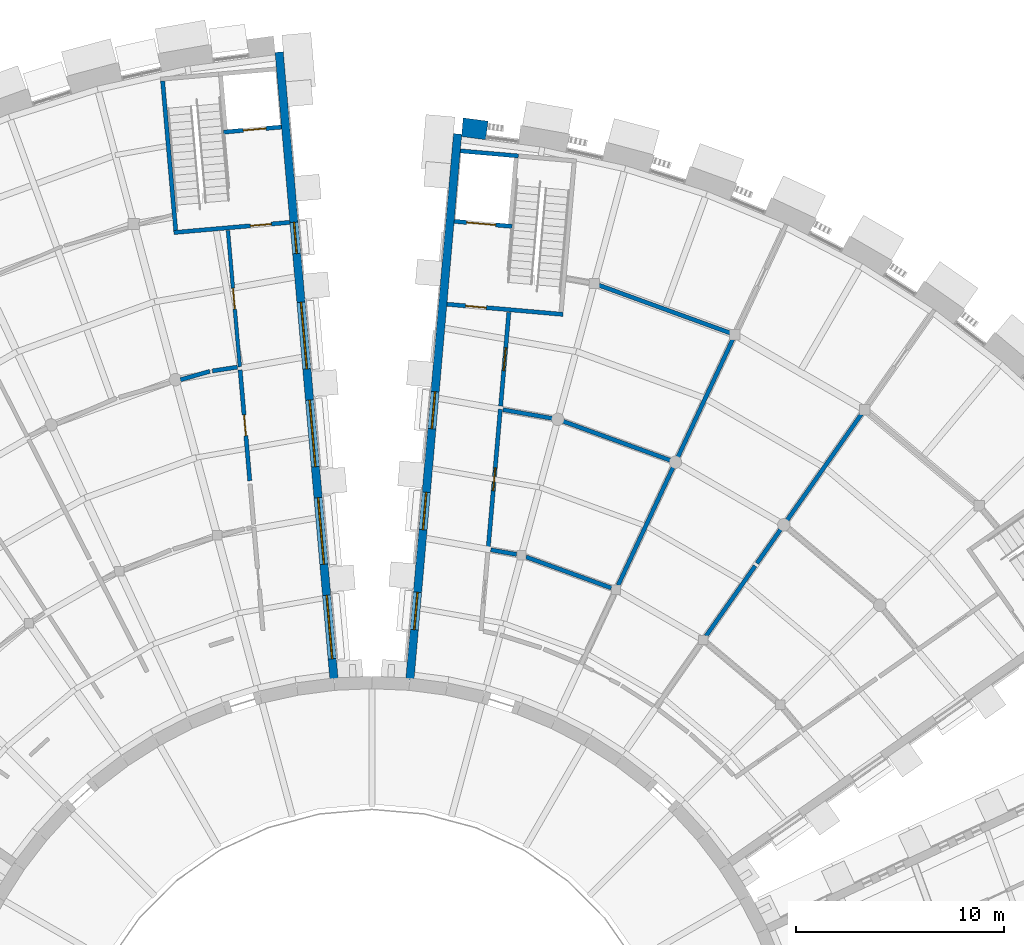
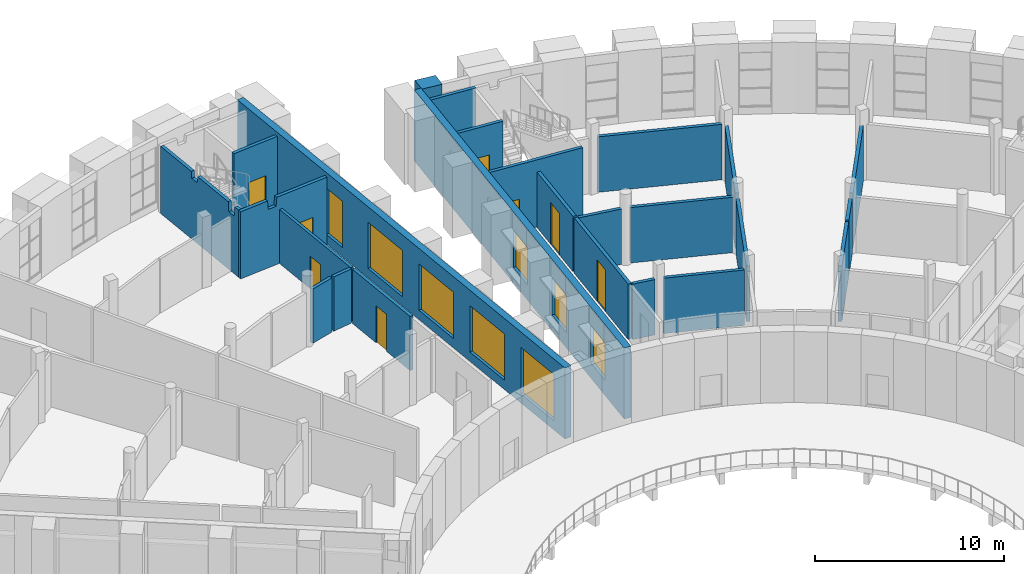
# One storey, part 32 of 50: 25 walls, 8 doors, 8 windows, 16 openings.
"""IFC4 building model written with IfcOpenShell, lengths in metres."""

from ifc_helpers import new_model, si_unit, direction, frame, frame_2d, origin, place, context, subcontext, project, spatial, polyline, rectangle, outline, extrude, material, layer, layer_set, type_object, element, fill, save


model = new_model("IFC4")

# Units and contexts
model_context = context("Model", 3, precision=1e-05, world=origin(), true_north=direction((0.0, 1.0)))
body_context = subcontext(model_context, "Body", "Model", "MODEL_VIEW")
ifc_project = project(units=[si_unit("LENGTHUNIT", "METRE"), si_unit("AREAUNIT", "SQUARE_METRE"), si_unit("VOLUMEUNIT", "CUBIC_METRE"), si_unit("PLANEANGLEUNIT", "RADIAN"), si_unit("MASSUNIT", "GRAM", prefix="KILO")], contexts=[model_context])

# Site, building, storey
site_placement = place(None, origin())
site = spatial("IfcSite", under=ifc_project, at=site_placement, CompositionType="ELEMENT")
building_placement = place(site_placement, origin())
building = spatial("IfcBuilding", under=site, at=building_placement, Name="Volute Hill Aquarium", CompositionType="ELEMENT")
storey_placement = place(building_placement, frame((0.0, 0.0, 9.199951171875)))
storey = spatial("IfcBuildingStorey", under=building, at=storey_placement, Name="L03", CompositionType="ELEMENT", Elevation=9.199951171875)

# Wall, opening, door
ifc_material_1 = material(Name="Concrete C30/37", Category="concrete")
ifc_layer_1 = layer(ifc_material_1, 0.199951171875)
ifc_layer_set_1 = layer_set([ifc_layer_1], Name="Core wall 200 REI 60")
wall_type_1 = type_object("IfcWallType", Name="Core wall 200 REI 60", PredefinedType="SHEAR", material=ifc_layer_set_1)
wall_1_placement = place(storey_placement, frame((3.602783203125, 38.884033203125, 0.0), z_axis=(0.0, 0.0, 1.0), x_axis=(0.996195137027, -0.087150725554, 0.0)))
wall_1 = element("IfcWall", 1, at=wall_1_placement, inside=storey, type_object=wall_type_1, Name="wc/S5-B/L03/in", PredefinedType="SHEAR", context=body_context, shape_type="SweptSolid", body=[
    extrude(rectangle(XDim=5.599853515625, YDim=0.199951171875, at=frame_2d((2.7998046875, 0.0))), origin(), (0.0, 0.0, 1.0), 4.35009765625),
])
opening_1_placement = place(wall_1_placement, frame((0.89990234375, 0.0, 0.0)))
opening_1 = element("IfcOpeningElement", 2, at=opening_1_placement, cuts=wall_1, Name="Opening D5.03.BS", PredefinedType="OPENING", context=body_context, shape_type="SweptSolid", body=[
    extrude(rectangle(XDim=1.0, YDim=2.10009765625, at=frame_2d((0.5, 1.050048828125))), frame((0.0, 0.10986328125, 0.0), z_axis=(0.0, -1.0, 0.0), x_axis=(1.0, 0.0, 0.0)), (0.0, 0.0, 1.0), 0.219970703125),
])
ifc_material_2 = material(Name="Timber, fire-rated", Category="wood")
door_type_1 = type_object("IfcDoorType", Name="Door 1000 x 2100 single EI1 30", OperationType="SINGLE_SWING_LEFT", PredefinedType="DOOR", material=ifc_material_2)
door_1_placement = place(opening_1_placement, origin())
door_1 = element("IfcDoor", 3, at=door_1_placement, inside=storey, type_object=door_type_1, Name="d/S5-B/L03/st", OperationType="SINGLE_SWING_RIGHT", OverallHeight=2.10009765625, OverallWidth=1.0, PredefinedType="DOOR", context=body_context, shape_type="SweptSolid", body=[
    extrude(rectangle(XDim=1.0, YDim=2.10009765625, at=frame_2d((0.5, 1.050048828125))), frame((0.0, 0.02490234375, 0.0), z_axis=(0.0, -1.0, 0.0), x_axis=(1.0, 0.0, 0.0)), (0.0, 0.0, 1.0), 0.050048828125),
])
fill(opening_1, door_1)

wall_2_placement = place(storey_placement, frame((-3.947021484375, 42.81884765625, 0.0), z_axis=(0.0, 0.0, 1.0), x_axis=(-0.996195137027, -0.087150725554, 0.0)))
wall_2 = element("IfcWall", 4, at=wall_2_placement, inside=storey, type_object=wall_type_1, Name="wc/S6-A/L03/in", PredefinedType="SHEAR", context=body_context, shape_type="SweptSolid", body=[
    extrude(outline(polyline([(0.0, 0.0), (5.599853515625, 0.0), (5.60009765625, 4.35009765625), (3.853271484375, 4.35009765625), (3.80322265625, 3.780029296875), (3.30322265625, 3.780029296875), (3.253173828125, 4.35009765625), (0.0, 4.35009765625), (0.0, 0.0)])), frame((0.0, 0.10009765625, 0.0), z_axis=(0.0, -1.0, 0.0), x_axis=(1.0, 0.0, 0.0)), (0.0, 0.0, 1.0), 0.199951171875),
])
opening_2_placement = place(wall_2_placement, frame((0.89990234375, 0.0, 0.0)))
opening_2 = element("IfcOpeningElement", 5, at=opening_2_placement, cuts=wall_2, Name="Opening D6.03.AS", PredefinedType="OPENING", context=body_context, shape_type="SweptSolid", body=[
    extrude(rectangle(XDim=1.0, YDim=2.10009765625, at=frame_2d((0.5, 1.050048828125))), frame((0.0, 0.10986328125, 0.0), z_axis=(0.0, -1.0, 0.0), x_axis=(1.0, 0.0, 0.0)), (0.0, 0.0, 1.0), 0.219970703125),
])
door_2_placement = place(opening_2_placement, origin())
door_2 = element("IfcDoor", 6, at=door_2_placement, inside=storey, type_object=door_type_1, Name="d/S6-A/L03/st", OperationType="SINGLE_SWING_RIGHT", OverallHeight=2.10009765625, OverallWidth=1.0, PredefinedType="DOOR", context=body_context, shape_type="SweptSolid", body=[
    extrude(rectangle(XDim=1.0, YDim=2.10009765625, at=frame_2d((0.5, 1.050048828125))), frame((0.0, 0.02490234375, 0.0), z_axis=(0.0, -1.0, 0.0), x_axis=(1.0, 0.0, 0.0)), (0.0, 0.0, 1.0), 0.050048828125),
])
fill(opening_2, door_2)

# Wall
wall_3_placement = place(storey_placement, frame((-9.434814453125, 42.439208984375, 0.0), z_axis=(0.0, 0.0, 1.0), x_axis=(-0.087144656612, 0.996195667941, 0.0)))
element("IfcWall", 7, at=wall_3_placement, inside=storey, type_object=wall_type_1, Name="wc/S6-A/L03/side", PredefinedType="SHEAR", context=body_context, shape_type="SweptSolid", body=[
    extrude(outline(polyline([(0.0, 0.0), (7.199951171875, 0.0), (7.199951171875, 4.35009765625), (4.36767578125, 4.35009765625), (4.317626953125, 3.929931640625), (3.817626953125, 3.929931640625), (3.767578125, 4.35009765625), (0.942626953125, 4.35009765625), (0.892578125, 3.72998046875), (0.392578125, 3.72998046875), (0.342529296875, 4.35009765625), (0.0, 4.35009765625), (0.0, 0.0)])), frame((0.0, 0.10009765625, 0.0), z_axis=(0.0, -1.0, 0.0), x_axis=(1.0, 0.0, 0.0)), (0.0, 0.0, 1.0), 0.199951171875),
])

# Wall, opening, door
ifc_material_3 = material(Name="Gypsum board on steel studs", Category="steel")
ifc_layer_2 = layer(ifc_material_3, 0.175048828125)
ifc_layer_set_2 = layer_set([ifc_layer_2], Name="Corridor partition 175 EI 60")
wall_type_2 = type_object("IfcWallType", Name="Corridor partition 175 EI 60", PredefinedType="PARTITIONING", material=ifc_layer_set_2)
wall_4_placement = place(storey_placement, frame((-6.35107421875, 35.8779296875, 0.0), z_axis=(0.0, 0.0, 1.0), x_axis=(-0.087183992952, 0.996192226115, 0.0)))
wall_4 = element("IfcWall", 8, at=wall_4_placement, inside=storey, type_object=wall_type_2, Name="pw/S6/L03/008", PredefinedType="PARTITIONING", context=body_context, shape_type="SweptSolid", body=[
    extrude(rectangle(XDim=6.5751953125, YDim=0.175048828125, at=frame_2d((3.28759765625, 0.0))), origin(), (0.0, 0.0, 1.0), 3.510009765625),
])
opening_3_placement = place(wall_4_placement, frame((2.78759765625, 0.0, 0.0)))
opening_3 = element("IfcOpeningElement", 9, at=opening_3_placement, cuts=wall_4, Name="Opening D6.03.03", PredefinedType="OPENING", context=body_context, shape_type="SweptSolid", body=[
    extrude(rectangle(XDim=1.0, YDim=2.10009765625, at=frame_2d((0.5, 1.050048828125))), frame((0.0, 0.097412109375, 0.0), z_axis=(0.0, -1.0, 0.0), x_axis=(1.0, 0.0, 0.0)), (0.0, 0.0, 1.0), 0.195068359375),
])
door_3_placement = place(opening_3_placement, origin())
door_3 = element("IfcDoor", 10, at=door_3_placement, inside=storey, type_object=door_type_1, Name="d/S6/L03/03", OperationType="SINGLE_SWING_LEFT", OverallHeight=2.10009765625, OverallWidth=1.0, PredefinedType="DOOR", context=body_context, shape_type="SweptSolid", body=[
    extrude(rectangle(XDim=1.0, YDim=2.10009765625, at=frame_2d((0.5, 1.050048828125))), frame((0.0, 0.02490234375, 0.0), z_axis=(0.0, -1.0, 0.0), x_axis=(1.0, 0.0, 0.0)), (0.0, 0.0, 1.0), 0.050048828125),
])
fill(opening_3, door_3)

# Wall, openings, windows
ifc_material_4 = material(Name="Concrete C35/45", Category="concrete")
ifc_layer_3 = layer(ifc_material_4, 0.39990234375)
ifc_layer_set_3 = layer_set([ifc_layer_3], Name="End wall 400 C35/45")
wall_type_3 = type_object("IfcWallType", Name="End wall 400 C35/45", PredefinedType="SHEAR", material=ifc_layer_set_3)
wall_5_placement = place(storey_placement, frame((1.821533203125, 20.820556640625, 0.0), z_axis=(0.0, 0.0, 1.0), x_axis=(0.087158559941, 0.996194451615, 0.0)))
wall_5 = element("IfcWall", 11, at=wall_5_placement, inside=storey, type_object=wall_type_3, Name="sw/S5/L03/endB", PredefinedType="SHEAR", context=body_context, shape_type="SweptSolid", body=[
    extrude(rectangle(XDim=26.35009765625, YDim=0.39990234375, at=frame_2d((13.175048828125, 0.0))), origin(), (0.0, 0.0, 1.0), 4.60009765625),
])
opening_4_placement = place(wall_5_placement, frame((2.43115234375, 0.0, 1.0)))
opening_4 = element("IfcOpeningElement", 12, at=opening_4_placement, cuts=wall_5, Name="Opening W13", PredefinedType="OPENING", context=body_context, shape_type="SweptSolid", body=[
    extrude(rectangle(XDim=1.800048828125, YDim=2.39990234375, at=frame_2d((0.89990234375, 1.199951171875))), frame((0.0, 0.2099609375, 0.0), z_axis=(0.0, -1.0, 0.0), x_axis=(1.0, 0.0, 0.0)), (0.0, 0.0, 1.0), 0.419921875),
])
opening_5_placement = place(wall_5_placement, frame((7.252197265625, 0.0, 1.0)))
opening_5 = element("IfcOpeningElement", 13, at=opening_5_placement, cuts=wall_5, Name="Opening W13", PredefinedType="OPENING", context=body_context, shape_type="SweptSolid", body=[
    extrude(rectangle(XDim=1.800048828125, YDim=2.39990234375, at=frame_2d((0.89990234375, 1.199951171875))), frame((0.0, 0.2099609375, 0.0), z_axis=(0.0, -1.0, 0.0), x_axis=(1.0, 0.0, 0.0)), (0.0, 0.0, 1.0), 0.419921875),
])
opening_6_placement = place(wall_5_placement, frame((12.1181640625, 0.0, 1.0)))
opening_6 = element("IfcOpeningElement", 14, at=opening_6_placement, cuts=wall_5, Name="Opening W13", PredefinedType="OPENING", context=body_context, shape_type="SweptSolid", body=[
    extrude(rectangle(XDim=1.800048828125, YDim=2.39990234375, at=frame_2d((0.89990234375, 1.199951171875))), frame((0.0, 0.2099609375, 0.0), z_axis=(0.0, -1.0, 0.0), x_axis=(1.0, 0.0, 0.0)), (0.0, 0.0, 1.0), 0.419921875),
])
ifc_material_5 = material(Name="Aluminium and glass", Category="aluminium")
window_type_1 = type_object("IfcWindowType", Name="End wall window 1800x2400", PartitioningType="SINGLE_PANEL", PredefinedType="WINDOW", material=ifc_material_5)
window_1_placement = place(opening_4_placement, origin())
window_1 = element("IfcWindow", 15, at=window_1_placement, inside=storey, type_object=window_type_1, Name="End wall window S5B L03 1.1", OverallHeight=2.39990234375, OverallWidth=1.800048828125, PartitioningType="SINGLE_PANEL", PredefinedType="WINDOW", context=body_context, shape_type="SweptSolid", body=[
    extrude(rectangle(XDim=1.800048828125, YDim=2.39990234375, at=frame_2d((0.89990234375, 1.199951171875))), frame((0.0, 0.030029296875, 0.0), z_axis=(0.0, -1.0, 0.0), x_axis=(1.0, 0.0, 0.0)), (0.0, 0.0, 1.0), 0.06005859375),
])
fill(opening_4, window_1)
window_2_placement = place(opening_5_placement, origin())
window_2 = element("IfcWindow", 16, at=window_2_placement, inside=storey, type_object=window_type_1, Name="End wall window S5B L03 2.1", OverallHeight=2.39990234375, OverallWidth=1.800048828125, PartitioningType="SINGLE_PANEL", PredefinedType="WINDOW", context=body_context, shape_type="SweptSolid", body=[
    extrude(rectangle(XDim=1.800048828125, YDim=2.39990234375, at=frame_2d((0.89990234375, 1.199951171875))), frame((0.0, 0.030029296875, 0.0), z_axis=(0.0, -1.0, 0.0), x_axis=(1.0, 0.0, 0.0)), (0.0, 0.0, 1.0), 0.06005859375),
])
fill(opening_5, window_2)
window_3_placement = place(opening_6_placement, origin())
window_3 = element("IfcWindow", 17, at=window_3_placement, inside=storey, type_object=window_type_1, Name="End wall window S5B L03 3.1", OverallHeight=2.39990234375, OverallWidth=1.800048828125, PartitioningType="SINGLE_PANEL", PredefinedType="WINDOW", context=body_context, shape_type="SweptSolid", body=[
    extrude(rectangle(XDim=1.800048828125, YDim=2.39990234375, at=frame_2d((0.89990234375, 1.199951171875))), frame((0.0, 0.030029296875, 0.0), z_axis=(0.0, -1.0, 0.0), x_axis=(1.0, 0.0, 0.0)), (0.0, 0.0, 1.0), 0.06005859375),
])
fill(opening_6, window_3)

wall_6_placement = place(storey_placement, frame((-1.821533203125, 20.820556640625, 0.0), z_axis=(0.0, 0.0, 1.0), x_axis=(-0.08715775458, 0.996194522077, 0.0)))
wall_6 = element("IfcWall", 18, at=wall_6_placement, inside=storey, type_object=wall_type_3, Name="sw/S6/L03/endA", PredefinedType="SHEAR", context=body_context, shape_type="SweptSolid", body=[
    extrude(rectangle(XDim=30.2998046875, YDim=0.39990234375, at=frame_2d((15.14990234375, 0.0))), origin(), (0.0, 0.0, 1.0), 4.60009765625),
])
opening_7_placement = place(wall_6_placement, frame((1.02001953125, 0.0, 0.60009765625)))
opening_7 = element("IfcOpeningElement", 19, at=opening_7_placement, cuts=wall_6, Name="Opening W17", PredefinedType="OPENING", context=body_context, shape_type="SweptSolid", body=[
    extrude(rectangle(XDim=3.063232421875, YDim=3.0, at=frame_2d((1.53173828125, 1.5))), frame((0.0, 0.2099609375, 0.0), z_axis=(0.0, -1.0, 0.0), x_axis=(1.0, 0.0, 0.0)), (0.0, 0.0, 1.0), 0.419921875),
])
opening_8_placement = place(wall_6_placement, frame((5.583251953125, 0.0, 0.60009765625)))
opening_8 = element("IfcOpeningElement", 20, at=opening_8_placement, cuts=wall_6, Name="Opening W18", PredefinedType="OPENING", context=body_context, shape_type="SweptSolid", body=[
    extrude(rectangle(XDim=3.21337890625, YDim=3.0, at=frame_2d((1.606689453125, 1.5))), frame((0.0, 0.2099609375, 0.0), z_axis=(0.0, -1.0, 0.0), x_axis=(1.0, 0.0, 0.0)), (0.0, 0.0, 1.0), 0.419921875),
])
opening_9_placement = place(wall_6_placement, frame((10.296630859375, 0.0, 0.60009765625)))
opening_9 = element("IfcOpeningElement", 21, at=opening_9_placement, cuts=wall_6, Name="Opening W18", PredefinedType="OPENING", context=body_context, shape_type="SweptSolid", body=[
    extrude(rectangle(XDim=3.21337890625, YDim=3.0, at=frame_2d((1.606689453125, 1.5))), frame((0.0, 0.2099609375, 0.0), z_axis=(0.0, -1.0, 0.0), x_axis=(1.0, 0.0, 0.0)), (0.0, 0.0, 1.0), 0.419921875),
])
opening_10_placement = place(wall_6_placement, frame((15.010009765625, 0.0, 0.60009765625)))
opening_10 = element("IfcOpeningElement", 22, at=opening_10_placement, cuts=wall_6, Name="Opening W18", PredefinedType="OPENING", context=body_context, shape_type="SweptSolid", body=[
    extrude(rectangle(XDim=3.21337890625, YDim=3.0, at=frame_2d((1.606689453125, 1.5))), frame((0.0, 0.2099609375, 0.0), z_axis=(0.0, -1.0, 0.0), x_axis=(1.0, 0.0, 0.0)), (0.0, 0.0, 1.0), 0.419921875),
])
opening_11_placement = place(wall_6_placement, frame((20.580078125, 0.0, 0.60009765625)))
opening_11 = element("IfcOpeningElement", 23, at=opening_11_placement, cuts=wall_6, Name="Opening W19", PredefinedType="OPENING", context=body_context, shape_type="SweptSolid", body=[
    extrude(rectangle(XDim=1.5, YDim=3.0, at=frame_2d((0.75, 1.5))), frame((0.0, 0.2099609375, 0.0), z_axis=(0.0, -1.0, 0.0), x_axis=(1.0, 0.0, 0.0)), (0.0, 0.0, 1.0), 0.419921875),
])
ifc_material_6 = material(Name="Aluminium and glass", Category="aluminium")
window_type_2 = type_object("IfcWindowType", Name="End wall window 1500x3000", PartitioningType="SINGLE_PANEL", PredefinedType="WINDOW", material=ifc_material_6)
window_4_placement = place(opening_11_placement, origin())
window_4 = element("IfcWindow", 24, at=window_4_placement, inside=storey, type_object=window_type_2, Name="End wall window S6A L03 5.1", OverallHeight=3.0, OverallWidth=1.5, PartitioningType="SINGLE_PANEL", PredefinedType="WINDOW", context=body_context, shape_type="SweptSolid", body=[
    extrude(rectangle(XDim=1.5, YDim=3.0, at=frame_2d((0.75, 1.5))), frame((0.0, 0.030029296875, 0.0), z_axis=(0.0, -1.0, 0.0), x_axis=(1.0, 0.0, 0.0)), (0.0, 0.0, 1.0), 0.06005859375),
])
fill(opening_11, window_4)
ifc_material_7 = material(Name="Aluminium and glass", Category="aluminium")
window_type_3 = type_object("IfcWindowType", Name="End wall window 3063x3000", PartitioningType="SINGLE_PANEL", PredefinedType="WINDOW", material=ifc_material_7)
window_5_placement = place(opening_7_placement, origin())
window_5 = element("IfcWindow", 25, at=window_5_placement, inside=storey, type_object=window_type_3, Name="End wall window S6A L03 1.1", OverallHeight=3.0, OverallWidth=3.063232421875, PartitioningType="SINGLE_PANEL", PredefinedType="WINDOW", context=body_context, shape_type="SweptSolid", body=[
    extrude(rectangle(XDim=3.063232421875, YDim=3.0, at=frame_2d((1.53173828125, 1.5))), frame((0.0, 0.030029296875, 0.0), z_axis=(0.0, -1.0, 0.0), x_axis=(1.0, 0.0, 0.0)), (0.0, 0.0, 1.0), 0.06005859375),
])
fill(opening_7, window_5)
ifc_material_8 = material(Name="Aluminium and glass", Category="aluminium")
window_type_4 = type_object("IfcWindowType", Name="End wall window 3213x3000", PartitioningType="SINGLE_PANEL", PredefinedType="WINDOW", material=ifc_material_8)
window_6_placement = place(opening_8_placement, origin())
window_6 = element("IfcWindow", 26, at=window_6_placement, inside=storey, type_object=window_type_4, Name="End wall window S6A L03 2.1", OverallHeight=3.0, OverallWidth=3.21337890625, PartitioningType="SINGLE_PANEL", PredefinedType="WINDOW", context=body_context, shape_type="SweptSolid", body=[
    extrude(rectangle(XDim=3.21337890625, YDim=3.0, at=frame_2d((1.606689453125, 1.5))), frame((0.0, 0.030029296875, 0.0), z_axis=(0.0, -1.0, 0.0), x_axis=(1.0, 0.0, 0.0)), (0.0, 0.0, 1.0), 0.06005859375),
])
fill(opening_8, window_6)
window_7_placement = place(opening_9_placement, origin())
window_7 = element("IfcWindow", 27, at=window_7_placement, inside=storey, type_object=window_type_4, Name="End wall window S6A L03 3.1", OverallHeight=3.0, OverallWidth=3.21337890625, PartitioningType="SINGLE_PANEL", PredefinedType="WINDOW", context=body_context, shape_type="SweptSolid", body=[
    extrude(rectangle(XDim=3.21337890625, YDim=3.0, at=frame_2d((1.606689453125, 1.5))), frame((0.0, 0.030029296875, 0.0), z_axis=(0.0, -1.0, 0.0), x_axis=(1.0, 0.0, 0.0)), (0.0, 0.0, 1.0), 0.06005859375),
])
fill(opening_9, window_7)
window_8_placement = place(opening_10_placement, origin())
window_8 = element("IfcWindow", 28, at=window_8_placement, inside=storey, type_object=window_type_4, Name="End wall window S6A L03 4.1", OverallHeight=3.0, OverallWidth=3.21337890625, PartitioningType="SINGLE_PANEL", PredefinedType="WINDOW", context=body_context, shape_type="SweptSolid", body=[
    extrude(rectangle(XDim=3.21337890625, YDim=3.0, at=frame_2d((1.606689453125, 1.5))), frame((0.0, 0.030029296875, 0.0), z_axis=(0.0, -1.0, 0.0), x_axis=(1.0, 0.0, 0.0)), (0.0, 0.0, 1.0), 0.06005859375),
])
fill(opening_10, window_8)

# Wall, opening, door
ifc_material_9 = material(Name="Masonry blockwork", Category="masonry")
ifc_layer_4 = layer(ifc_material_9, 0.199951171875)
ifc_layer_set_4 = layer_set([ifc_layer_4], Name="Fire partition 200 EI 60")
wall_type_4 = type_object("IfcWallType", Name="Fire partition 200 EI 60", PredefinedType="PARTITIONING", material=ifc_layer_set_4)
wall_7_placement = place(storey_placement, frame((6.17236328125, 33.835693359375, 0.0), z_axis=(0.0, 0.0, 1.0), x_axis=(-0.087153066589, -0.996194932222, 0.0)))
wall_7 = element("IfcWall", 29, at=wall_7_placement, inside=storey, type_object=wall_type_4, Name="pw/S5/L03/001", PredefinedType="PARTITIONING", context=body_context, shape_type="SweptSolid", body=[
    extrude(rectangle(XDim=6.76220703125, YDim=0.199951171875, at=frame_2d((3.381103515625, 0.0))), origin(), (0.0, 0.0, 1.0), 3.590087890625),
])
opening_12_placement = place(wall_7_placement, frame((2.831298828125, 0.0, 0.0)))
opening_12 = element("IfcOpeningElement", 30, at=opening_12_placement, cuts=wall_7, Name="Opening D5.03.06", PredefinedType="OPENING", context=body_context, shape_type="SweptSolid", body=[
    extrude(rectangle(XDim=1.10009765625, YDim=2.699951171875, at=frame_2d((0.550048828125, 1.35009765625))), frame((0.0, 0.10986328125, 0.0), z_axis=(0.0, -1.0, 0.0), x_axis=(1.0, 0.0, 0.0)), (0.0, 0.0, 1.0), 0.219970703125),
])
ifc_material_10 = material(Name="Steel, fire-rated", Category="steel")
door_type_2 = type_object("IfcDoorType", Name="Door 1100 x 2700 animal care EI1 30", OperationType="SINGLE_SWING_LEFT", PredefinedType="DOOR", material=ifc_material_10)
door_4_placement = place(opening_12_placement, origin())
door_4 = element("IfcDoor", 31, at=door_4_placement, inside=storey, type_object=door_type_2, Name="d/S5/L03/06", OperationType="SINGLE_SWING_RIGHT", OverallHeight=2.699951171875, OverallWidth=1.10009765625, PredefinedType="DOOR", context=body_context, shape_type="SweptSolid", body=[
    extrude(rectangle(XDim=1.10009765625, YDim=2.699951171875, at=frame_2d((0.550048828125, 1.35009765625))), frame((0.0, 0.02490234375, 0.0), z_axis=(0.0, -1.0, 0.0), x_axis=(1.0, 0.0, 0.0)), (0.0, 0.0, 1.0), 0.050048828125),
])
fill(opening_12, door_4)

# Walls
wall_8_placement = place(storey_placement, frame((10.911376953125, 39.798583984375, 0.0), z_axis=(0.0, 0.0, 1.0), x_axis=(0.939697881893, -0.342005688208, 0.0)))
element("IfcWall", 32, at=wall_8_placement, inside=storey, type_object=wall_type_4, Name="pw/S5/L03/002", PredefinedType="PARTITIONING", context=body_context, shape_type="SweptSolid", body=[
    extrude(rectangle(XDim=6.71728515625, YDim=0.199951171875, at=frame_2d((3.358642578125, 0.0))), origin(), (0.0, 0.0, 1.0), 3.590087890625),
])
wall_9_placement = place(storey_placement, frame((14.692138671875, 31.507568359375, 0.0), z_axis=(0.0, 0.0, 1.0), x_axis=(0.422645077375, 0.906295282218, 0.0)))
element("IfcWall", 33, at=wall_9_placement, inside=storey, type_object=wall_type_4, Name="pw/S5/L03/004", PredefinedType="PARTITIONING", context=body_context, shape_type="SweptSolid", body=[
    extrude(rectangle(XDim=6.283203125, YDim=0.199951171875, at=frame_2d((3.1416015625, 0.0))), origin(), (0.0, 0.0, 1.0), 3.590087890625),
])
for number, where, z_axis, x_axis, name in (
    (34, (11.834228515625, 25.378662109375, 0.0), (0.0, 0.0, 1.0), (0.42261316076, 0.906310165646, 0.0), "pw/S5/L03/005"),
    (35, (23.5439453125, 33.624267578125, 0.0), (0.0, 0.0, 1.0), (-0.573574477874, -0.819153415626, 0.0), "pw/S5/L03/006"),
):
    element("IfcWall", number, at=place(storey_placement, frame(where, z_axis=z_axis, x_axis=x_axis)), inside=storey, type_object=wall_type_4, Name=name, PredefinedType="PARTITIONING", context=body_context, shape_type="SweptSolid", body=[
        extrude(rectangle(XDim=6.282958984375, YDim=0.199951171875, at=frame_2d((3.1416015625, 0.0))), origin(), (0.0, 0.0, 1.0), 3.590087890625),
    ])
wall_10_placement = place(storey_placement, frame((9.160888671875, 33.2666015625, 0.0), z_axis=(0.0, 0.0, 1.0), x_axis=(0.939694284746, -0.342015571599, 0.0)))
element("IfcWall", 36, at=wall_10_placement, inside=storey, type_object=wall_type_4, Name="pw/S5/L03/009", PredefinedType="PARTITIONING", context=body_context, shape_type="SweptSolid", body=[
    extrude(rectangle(XDim=5.53857421875, YDim=0.199951171875, at=frame_2d((2.769287109375, 0.0))), origin(), (0.0, 0.0, 1.0), 3.590087890625),
])

# Wall, opening, door
wall_11_placement = place(storey_placement, frame((6.579833984375, 38.492919921875, 0.0), z_axis=(0.0, 0.0, 1.0), x_axis=(-0.087139507724, -0.996196118339, 0.0)))
wall_11 = element("IfcWall", 37, at=wall_11_placement, inside=storey, type_object=wall_type_4, Name="pw/S5/L03/011", PredefinedType="PARTITIONING", context=body_context, shape_type="SweptSolid", body=[
    extrude(rectangle(XDim=4.524658203125, YDim=0.199951171875, at=frame_2d((2.26220703125, 0.0))), origin(), (0.0, 0.0, 1.0), 3.590087890625),
])
opening_13_placement = place(wall_11_placement, frame((1.71240234375, 0.0, 0.0)))
opening_13 = element("IfcOpeningElement", 38, at=opening_13_placement, cuts=wall_11, Name="Opening D5.03.07", PredefinedType="OPENING", context=body_context, shape_type="SweptSolid", body=[
    extrude(rectangle(XDim=1.10009765625, YDim=2.699951171875, at=frame_2d((0.550048828125, 1.35009765625))), frame((0.0, 0.10986328125, 0.0), z_axis=(0.0, -1.0, 0.0), x_axis=(1.0, 0.0, 0.0)), (0.0, 0.0, 1.0), 0.219970703125),
])
door_5_placement = place(opening_13_placement, origin())
door_5 = element("IfcDoor", 39, at=door_5_placement, inside=storey, type_object=door_type_2, Name="d/S5/L03/07", OperationType="SINGLE_SWING_LEFT", OverallHeight=2.699951171875, OverallWidth=1.10009765625, PredefinedType="DOOR", context=body_context, shape_type="SweptSolid", body=[
    extrude(rectangle(XDim=1.10009765625, YDim=2.699951171875, at=frame_2d((0.550048828125, 1.35009765625))), frame((0.0, 0.02490234375, 0.0), z_axis=(0.0, -1.0, 0.0), x_axis=(1.0, 0.0, 0.0)), (0.0, 0.0, 1.0), 0.050048828125),
])
fill(opening_13, door_5)

# Walls
wall_12_placement = place(storey_placement, frame((7.410888671875, 26.734619140625, 0.0), z_axis=(0.0, 0.0, 1.0), x_axis=(0.939682191011, -0.342048797538, 0.0)))
element("IfcWall", 40, at=wall_12_placement, inside=storey, type_object=wall_type_4, Name="pw/S5/L03/014", PredefinedType="PARTITIONING", context=body_context, shape_type="SweptSolid", body=[
    extrude(rectangle(XDim=4.359619140625, YDim=0.199951171875, at=frame_2d((2.1796875, 0.0))), origin(), (0.0, 0.0, 1.0), 3.590087890625),
])
wall_13_placement = place(storey_placement, frame((18.421142578125, 26.30810546875, 0.0), z_axis=(0.0, 0.0, 1.0), x_axis=(-0.573589781111, -0.819142700026, 0.0)))
element("IfcWall", 41, at=wall_13_placement, inside=storey, type_object=wall_type_4, Name="pw/S5/L03/016", PredefinedType="PARTITIONING", context=body_context, shape_type="SweptSolid", body=[
    extrude(rectangle(XDim=4.1142578125, YDim=0.199951171875, at=frame_2d((2.05712890625, 0.0))), origin(), (0.0, 0.0, 1.0), 3.590087890625),
])
wall_14_placement = place(storey_placement, frame((6.300537109375, 33.813232421875, 0.0), z_axis=(0.0, 0.0, 1.0), x_axis=(0.984800706445, -0.173688135993, 0.0)))
element("IfcWall", 42, at=wall_14_placement, inside=storey, type_object=wall_type_4, Name="pw/S5/L03/021", PredefinedType="PARTITIONING", context=body_context, shape_type="SweptSolid", body=[
    extrude(rectangle(XDim=2.43603515625, YDim=0.199951171875, at=frame_2d((1.218017578125, 0.0))), origin(), (0.0, 0.0, 1.0), 3.590087890625),
])
wall_15_placement = place(storey_placement, frame((19.665283203125, 28.084716796875, 0.0), z_axis=(0.0, 0.0, 1.0), x_axis=(-0.573697690177, -0.819067128071, 0.0)))
element("IfcWall", 43, at=wall_15_placement, inside=storey, type_object=wall_type_4, Name="pw/S5/L03/024", PredefinedType="PARTITIONING", context=body_context, shape_type="SweptSolid", body=[
    extrude(rectangle(XDim=2.018798828125, YDim=0.199951171875, at=frame_2d((1.00927734375, 0.0))), origin(), (0.0, 0.0, 1.0), 3.590087890625),
])
wall_16_placement = place(storey_placement, frame((5.711181640625, 27.076416015625, 0.0), z_axis=(0.0, 0.0, 1.0), x_axis=(0.984812871034, -0.173619149419, 0.0)))
element("IfcWall", 44, at=wall_16_placement, inside=storey, type_object=wall_type_4, Name="pw/S5/L03/031", PredefinedType="PARTITIONING", context=body_context, shape_type="SweptSolid", body=[
    extrude(rectangle(XDim=1.257080078125, YDim=0.199951171875, at=frame_2d((0.62841796875, 0.0))), origin(), (0.0, 0.0, 1.0), 3.590087890625),
])

# Wall, opening, door
wall_17_placement = place(storey_placement, frame((-5.87158203125, 30.396728515625, 0.0), z_axis=(0.0, 0.0, 1.0), x_axis=(-0.087125642308, 0.996197331081, 0.0)))
wall_17 = element("IfcWall", 45, at=wall_17_placement, inside=storey, type_object=wall_type_4, Name="pw/S6/L03/010", PredefinedType="PARTITIONING", context=body_context, shape_type="SweptSolid", body=[
    extrude(rectangle(XDim=5.35205078125, YDim=0.199951171875, at=frame_2d((2.676025390625, 0.0))), origin(), (0.0, 0.0, 1.0), 3.510009765625),
])
opening_14_placement = place(wall_17_placement, frame((2.176025390625, 0.0, 0.0)))
opening_14 = element("IfcOpeningElement", 46, at=opening_14_placement, cuts=wall_17, Name="Opening D6.03.02", PredefinedType="OPENING", context=body_context, shape_type="SweptSolid", body=[
    extrude(rectangle(XDim=1.0, YDim=2.39990234375, at=frame_2d((0.5, 1.199951171875))), frame((0.0, 0.10986328125, 0.0), z_axis=(0.0, -1.0, 0.0), x_axis=(1.0, 0.0, 0.0)), (0.0, 0.0, 1.0), 0.219970703125),
])
ifc_material_11 = material(Name="Steel, fire-rated", Category="steel")
door_type_3 = type_object("IfcDoorType", Name="Door 1000 x 2400 laboratory EI1 30", OperationType="SINGLE_SWING_LEFT", PredefinedType="DOOR", material=ifc_material_11)
door_6_placement = place(opening_14_placement, origin())
door_6 = element("IfcDoor", 47, at=door_6_placement, inside=storey, type_object=door_type_3, Name="d/S6/L03/02", OperationType="SINGLE_SWING_RIGHT", OverallHeight=2.39990234375, OverallWidth=1.0, PredefinedType="DOOR", context=body_context, shape_type="SweptSolid", body=[
    extrude(rectangle(XDim=1.0, YDim=2.39990234375, at=frame_2d((0.5, 1.199951171875))), frame((0.0, 0.02490234375, 0.0), z_axis=(0.0, -1.0, 0.0), x_axis=(1.0, 0.0, 0.0)), (0.0, 0.0, 1.0), 0.050048828125),
])
fill(opening_14, door_6)

# Walls
wall_18_placement = place(storey_placement, frame((-9.20703125, 35.253173828125, 0.0), z_axis=(0.0, 0.0, 1.0), x_axis=(0.961253533644, 0.275665819531, 0.0)))
element("IfcWall", 48, at=wall_18_placement, inside=storey, type_object=wall_type_4, Name="pw/S6/L03/034", PredefinedType="PARTITIONING", context=body_context, shape_type="SweptSolid", body=[
    extrude(rectangle(XDim=1.467529296875, YDim=0.199951171875, at=frame_2d((0.73388671875, 0.0))), origin(), (0.0, 0.0, 1.0), 3.510009765625),
])
wall_19_placement = place(storey_placement, frame((-7.66796875, 35.67724609375, 0.0), z_axis=(0.0, 0.0, 1.0), x_axis=(0.988600631819, 0.150561584634, 0.0)))
element("IfcWall", 49, at=wall_19_placement, inside=storey, type_object=wall_type_4, Name="pw/S6/L03/035", PredefinedType="PARTITIONING", context=body_context, shape_type="SweptSolid", body=[
    extrude(rectangle(XDim=1.214599609375, YDim=0.199951171875, at=frame_2d((0.607421875, 0.0))), origin(), (0.0, 0.0, 1.0), 3.510009765625),
])
ifc_material_12 = material(Name="Precast concrete C40/50", Category="concrete")
ifc_layer_5 = layer(ifc_material_12, 0.89990234375)
ifc_layer_set_5 = layer_set([ifc_layer_5], Name="Outer pier precast concrete C40/50 900")
wall_type_5 = type_object("IfcWallType", Name="Outer pier precast concrete C40/50 900", PredefinedType="NOTDEFINED", material=ifc_layer_set_5)
wall_20_placement = place(storey_placement, origin())
element("IfcWall", 50, at=wall_20_placement, inside=storey, type_object=wall_type_5, Name="Outer pier OWP S5 L03 11", PredefinedType="NOTDEFINED", context=body_context, shape_type="SweptSolid", body=[
    extrude(outline(polyline([(5.461669921875, 46.7919921875), (5.5791015625, 47.684326171875), (4.38623046875, 47.841552734375), (4.307861328125, 46.944091796875), (5.461669921875, 46.7919921875)])), origin(), (0.0, 0.0, 1.0), 4.60009765625),
])
ifc_material_13 = material(Name="Concrete C30/37", Category="concrete")
ifc_layer_6 = layer(ifc_material_13, 0.199951171875)
ifc_layer_set_6 = layer_set([ifc_layer_6], Name="Shaft wall 200 EI 60")
wall_type_6 = type_object("IfcWallType", Name="Shaft wall 200 EI 60", PredefinedType="SOLIDWALL", material=ifc_layer_set_6)
wall_21_placement = place(storey_placement, frame((4.24755859375, 46.255859375, 0.0), z_axis=(0.0, 0.0, 1.0), x_axis=(0.996192013865, -0.087186418157, 0.0)))
element("IfcWall", 51, at=wall_21_placement, inside=storey, type_object=wall_type_6, Name="wc/S5-B/L03/out-a", PredefinedType="SOLIDWALL", context=body_context, shape_type="SweptSolid", body=[
    extrude(rectangle(XDim=2.80029296875, YDim=0.199951171875, at=frame_2d((1.400146484375, 0.0))), origin(), (0.0, 0.0, 1.0), 4.35009765625),
])

# Wall, opening, door
wall_22_placement = place(storey_placement, frame((3.951416015625, 42.868896484375, 0.0), z_axis=(0.0, 0.0, 1.0), x_axis=(0.99619068803, -0.087201565829, 0.0)))
wall_22 = element("IfcWall", 52, at=wall_22_placement, inside=storey, type_object=wall_type_6, Name="wc/S5-B/L03/front", PredefinedType="SOLIDWALL", context=body_context, shape_type="SweptSolid", body=[
    extrude(rectangle(XDim=2.7998046875, YDim=0.199951171875, at=frame_2d((1.39990234375, 0.0))), origin(), (0.0, 0.0, 1.0), 4.35009765625),
])
opening_15_placement = place(wall_22_placement, frame((0.60009765625, 0.0, 0.0)))
opening_15 = element("IfcOpeningElement", 53, at=opening_15_placement, cuts=wall_22, Name="Opening LD5.03.B", PredefinedType="OPENING", context=body_context, shape_type="SweptSolid", body=[
    extrude(rectangle(XDim=1.39990234375, YDim=2.39990234375, at=frame_2d((0.699951171875, 1.199951171875))), frame((0.0, 0.10986328125, 0.0), z_axis=(0.0, -1.0, 0.0), x_axis=(1.0, 0.0, 0.0)), (0.0, 0.0, 1.0), 0.219970703125),
])
ifc_material_14 = material(Name="Steel", Category="steel")
door_type_4 = type_object("IfcDoorType", Name="Lift landing door 1400 x 2400 goods", OperationType="SLIDING_TO_LEFT", PredefinedType="DOOR", material=ifc_material_14)
door_7_placement = place(opening_15_placement, origin())
door_7 = element("IfcDoor", 54, at=door_7_placement, inside=storey, type_object=door_type_4, Name="d/S5-B/L03/ld", OperationType="SLIDING_TO_LEFT", OverallHeight=2.39990234375, OverallWidth=1.39990234375, PredefinedType="DOOR", context=body_context, shape_type="SweptSolid", body=[
    extrude(rectangle(XDim=1.39990234375, YDim=2.39990234375, at=frame_2d((0.699951171875, 1.199951171875))), frame((0.0, 0.02490234375, 0.0), z_axis=(0.0, -1.0, 0.0), x_axis=(1.0, 0.0, 0.0)), (0.0, 0.0, 1.0), 0.050048828125),
])
fill(opening_15, door_7)

wall_23_placement = place(storey_placement, frame((-4.347900390625, 47.4013671875, 0.0), z_axis=(0.0, 0.0, 1.0), x_axis=(-0.996198921169, -0.087107459278, 0.0)))
wall_23 = element("IfcWall", 55, at=wall_23_placement, inside=storey, type_object=wall_type_6, Name="wc/S6-A/L03/front", PredefinedType="SOLIDWALL", context=body_context, shape_type="SweptSolid", body=[
    extrude(rectangle(XDim=2.800048828125, YDim=0.199951171875, at=frame_2d((1.39990234375, 0.0))), origin(), (0.0, 0.0, 1.0), 4.35009765625),
])
opening_16_placement = place(wall_23_placement, frame((0.75, 0.0, 0.0)))
opening_16 = element("IfcOpeningElement", 56, at=opening_16_placement, cuts=wall_23, Name="Opening LD6.03.A", PredefinedType="OPENING", context=body_context, shape_type="SweptSolid", body=[
    extrude(rectangle(XDim=1.10009765625, YDim=2.10009765625, at=frame_2d((0.550048828125, 1.050048828125))), frame((0.0, 0.10986328125, 0.0), z_axis=(0.0, -1.0, 0.0), x_axis=(1.0, 0.0, 0.0)), (0.0, 0.0, 1.0), 0.219970703125),
])
ifc_material_15 = material(Name="Stainless steel", Category="steel")
door_type_5 = type_object("IfcDoorType", Name="Lift landing door 1100 x 2100", OperationType="SLIDING_TO_LEFT", PredefinedType="DOOR", material=ifc_material_15)
door_8_placement = place(opening_16_placement, origin())
door_8 = element("IfcDoor", 57, at=door_8_placement, inside=storey, type_object=door_type_5, Name="d/S6-A/L03/ld", OperationType="SLIDING_TO_LEFT", OverallHeight=2.10009765625, OverallWidth=1.10009765625, PredefinedType="DOOR", context=body_context, shape_type="SweptSolid", body=[
    extrude(rectangle(XDim=1.10009765625, YDim=2.10009765625, at=frame_2d((0.550048828125, 1.050048828125))), frame((0.0, 0.02490234375, 0.0), z_axis=(0.0, -1.0, 0.0), x_axis=(1.0, 0.0, 0.0)), (0.0, 0.0, 1.0), 0.050048828125),
])
fill(opening_16, door_8)

save(model, "model.ifc")
